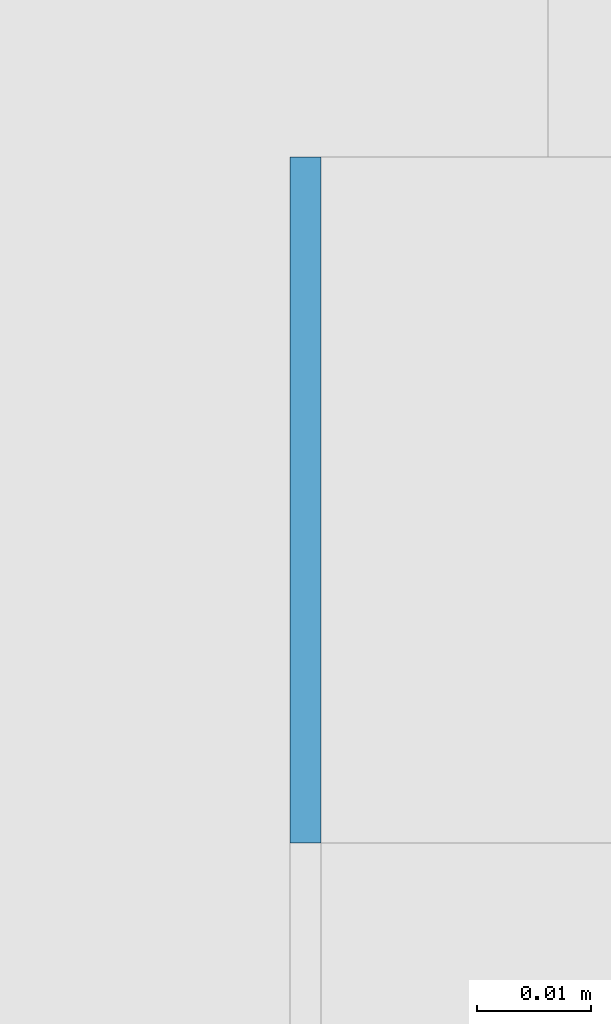
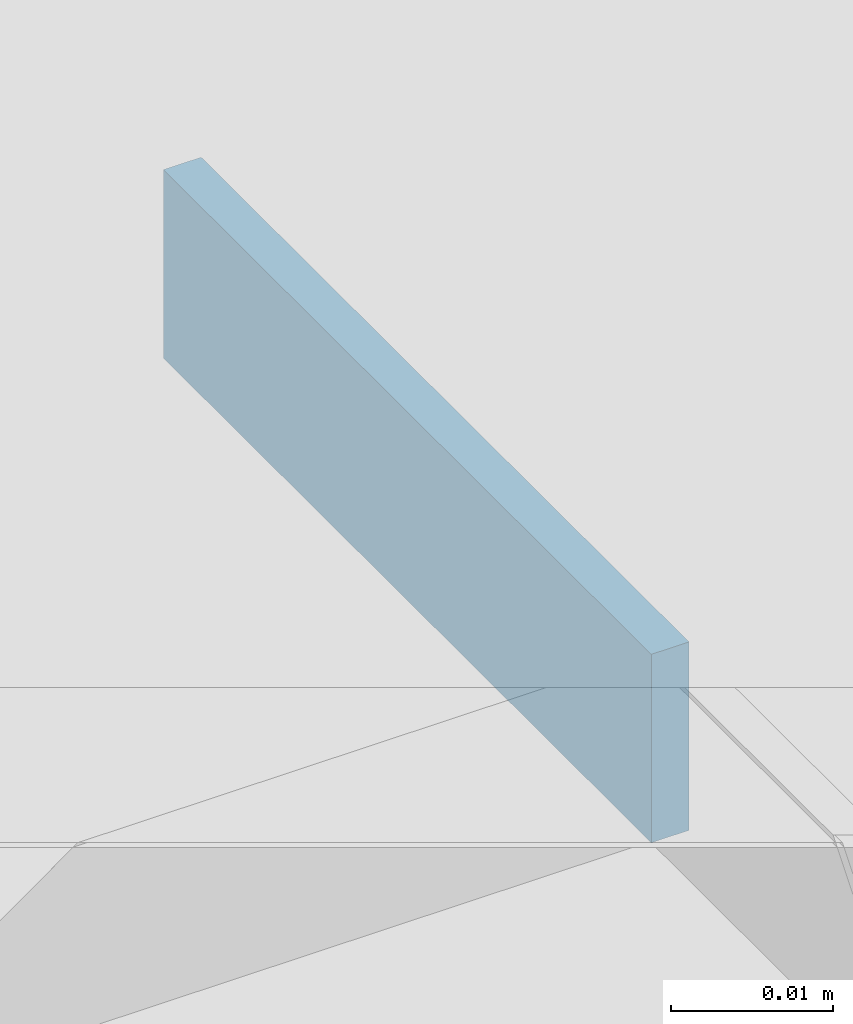
# One storey, part 477 of 646: 1 discrete accessory.
"""IFC4 building model written with IfcOpenShell, lengths in metres."""

from ifc_helpers import new_model, si_unit, direction, frame, origin, origin_2d, place, context, subcontext, project, spatial, rectangle, extrude, material, type_object, element, save


model = new_model("IFC4")

# Units and contexts
model_context = context("Model", 3, precision=1e-05, world=origin(), true_north=direction((0.0, 1.0)))
body_context = subcontext(model_context, "Body", "Model", "MODEL_VIEW")
ifc_project = project(units=[si_unit("LENGTHUNIT", "METRE"), si_unit("AREAUNIT", "SQUARE_METRE"), si_unit("VOLUMEUNIT", "CUBIC_METRE"), si_unit("PLANEANGLEUNIT", "RADIAN"), si_unit("MASSUNIT", "GRAM", prefix="KILO")], contexts=[model_context])

# Site, building, storey
site_placement = place(None, origin())
site = spatial("IfcSite", under=ifc_project, at=site_placement, CompositionType="ELEMENT")
building_placement = place(site_placement, origin())
building = spatial("IfcBuilding", under=site, at=building_placement, Name="Silverbay Arena", CompositionType="ELEMENT")
storey_placement = place(building_placement, frame((0.0, 0.0, 33.5)))
storey = spatial("IfcBuildingStorey", under=building, at=storey_placement, Name="L05", CompositionType="ELEMENT", Elevation=33.5)

# Discrete accessory
ifc_material = material(Name="Steel S355", Category="steel")
discrete_accessory_type = type_object("IfcDiscreteAccessoryType", Name="Steel bracket plate", PredefinedType="BRACKET", material=ifc_material)
discrete_accessory_placement = place(storey_placement, frame((207.128662109375, 54.030029296875, 12.98583984375), z_axis=(0.0, 0.0, 1.0), x_axis=(1.0, 0.0, 0.0)))
element("IfcDiscreteAccessory", 1, at=discrete_accessory_placement, inside=storey, type_object=discrete_accessory_type, Name="Curtain wall packing plate", PredefinedType="BRACKET", context=body_context, shape_type="SweptSolid", body=[
    extrude(rectangle(XDim=0.002685546875, YDim=0.06005859375, at=origin_2d()), origin(), (0.0, 0.0, 1.0), 0.01416015625),
])

save(model, "model.ifc")
